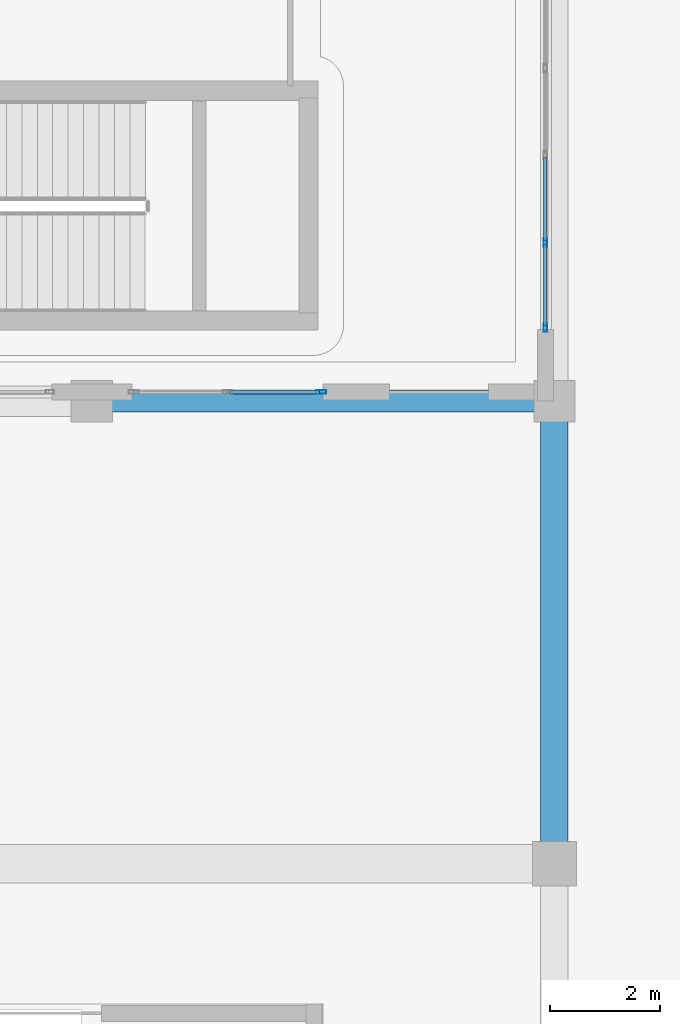
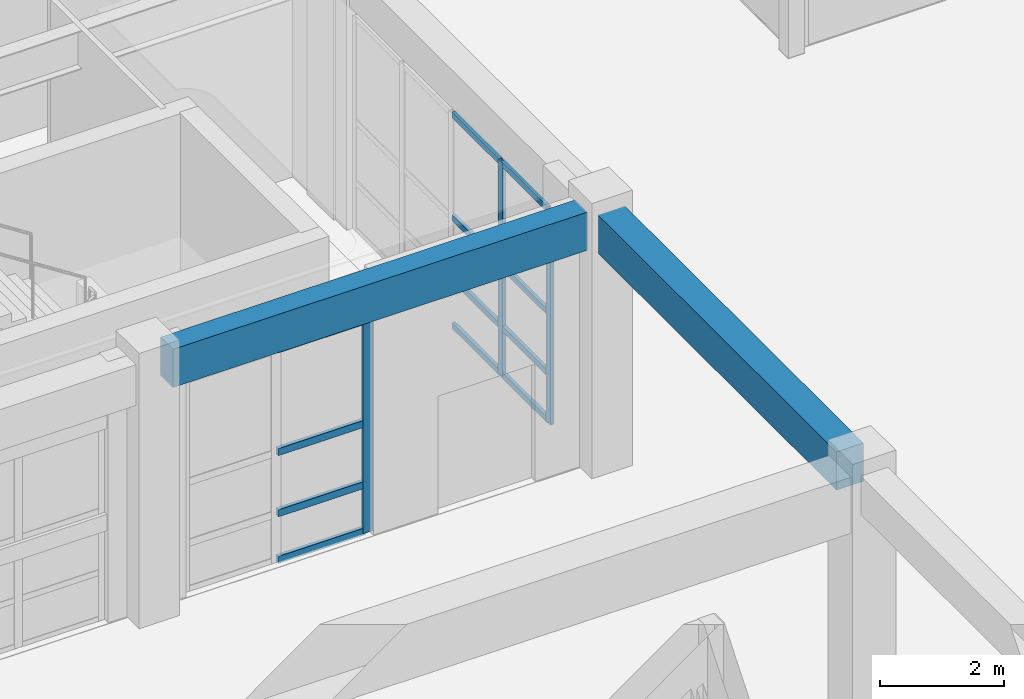
# One storey, part 31 of 148: 15 members, 2 beams, 2 elements without a shape of their own.
"""IFC4 building model written with IfcOpenShell, lengths in metres."""

from ifc_helpers import new_model, si_unit, direction, frame, origin, origin_2d, place, context, subcontext, project, spatial, rectangle, hollow_rectangle, extrude, material, layer, layer_set, material_profile, profile_set, type_object, element, aggregate, save


model = new_model("IFC4")

# Units and contexts
model_context = context("Model", 3, precision=1e-05, world=origin(), true_north=direction((0.0, 1.0)))
body_context = subcontext(model_context, "Body", "Model", "MODEL_VIEW")
ifc_project = project(units=[si_unit("LENGTHUNIT", "METRE"), si_unit("AREAUNIT", "SQUARE_METRE"), si_unit("VOLUMEUNIT", "CUBIC_METRE"), si_unit("PLANEANGLEUNIT", "RADIAN"), si_unit("MASSUNIT", "GRAM", prefix="KILO")], contexts=[model_context])

# Site, building, storey
site_placement = place(None, origin())
site = spatial("IfcSite", under=ifc_project, at=site_placement, CompositionType="ELEMENT")
building_placement = place(site_placement, origin())
building = spatial("IfcBuilding", under=site, at=building_placement, Name="Quendrovan Civic Courthouse", CompositionType="ELEMENT")
storey_placement = place(building_placement, origin())
storey = spatial("IfcBuildingStorey", under=building, at=storey_placement, Name="L01", CompositionType="ELEMENT", Elevation=0.0)

# Beams
ifc_material_1 = material(Name="Concrete C40/50", Category="concrete")
ifc_material_profile_1 = material_profile(ifc_material_1, rectangle(XDim=0.5, YDim=0.75, at=origin_2d()), Name="RC-BM-500x750")
ifc_profile_set_1 = profile_set([ifc_material_profile_1], Name="Concrete C40/50")
beam_type_1 = type_object("IfcBeamType", Name="BM-RC750", PredefinedType="SPANDREL", material=ifc_profile_set_1)
beam_1_placement = place(storey_placement, frame((16.800048828125, 48.3798828125, 4.7451171875), z_axis=(0.0, 1.0, 0.0), x_axis=(-1.0, 0.0, 0.0)))
element("IfcBeam", 1, at=beam_1_placement, inside=storey, type_object=beam_type_1, Name="L01 Girder Y0393", PredefinedType="SPANDREL", context=body_context, shape_type="SweptSolid", body=[
    extrude(rectangle(XDim=0.5, YDim=0.75, at=origin_2d()), origin(), (0.0, 0.0, 1.0), 7.6650390625),
])
ifc_material_profile_2 = material_profile(ifc_material_1, rectangle(XDim=0.39990234375, YDim=0.75, at=origin_2d()), Name="RC-BM-400x750")
ifc_profile_set_2 = profile_set([ifc_material_profile_2], Name="Concrete C40/50")
beam_type_2 = type_object("IfcBeamType", Name="BM-RC750B", PredefinedType="BEAM", material=ifc_profile_set_2)
beam_2_placement = place(storey_placement, frame((8.7548828125, 56.39990234375, 4.7451171875), z_axis=(1.0, 0.0, 0.0), x_axis=(0.0, 1.0, 0.0)))
element("IfcBeam", 2, at=beam_2_placement, inside=storey, type_object=beam_type_2, Name="L01 Girder X0284", PredefinedType="BEAM", context=body_context, shape_type="SweptSolid", body=[
    extrude(rectangle(XDim=0.39990234375, YDim=0.75, at=origin_2d()), origin(), (0.0, 0.0, 1.0), 7.690185546875),
])

# Curtain wall, member
ifc_material_2 = material(Name="Bronze anodised aluminium and low-E glass", Category="aluminium")
ifc_layer_1 = layer(ifc_material_2, 0.179931640625, Name="Bronze anodised aluminium and low-E glass")
ifc_layer_set_1 = layer_set([ifc_layer_1], Name="Bronze anodised aluminium and low-E glass")
curtain_wall_type_1 = type_object("IfcCurtainWallType", Name="CW-U35x42", PredefinedType="USERDEFINED", material=ifc_layer_set_1)
curtain_wall_1_placement = place(storey_placement, origin())
curtain_wall_1 = element("IfcCurtainWall", 3, at=curtain_wall_1_placement, inside=storey, type_object=curtain_wall_type_1, Name="L01 Unitised Hurricane Curtain Wall CW-014", ObjectType="UNITISED CURTAIN WALL", PredefinedType="USERDEFINED")
ifc_material_3 = material(Name="Bronze anodised aluminium", Category="aluminium")
ifc_material_profile_3 = material_profile(ifc_material_3, hollow_rectangle(XDim=0.070068359375, YDim=0.179931640625, WallThickness=0.00390625, at=origin_2d()), Name="CW-MULL-70x180")
ifc_profile_set_3 = profile_set([ifc_material_profile_3], Name="Bronze anodised aluminium")
member_type_1 = type_object("IfcMemberType", Name="CW-MULL-A", PredefinedType="MULLION", material=ifc_profile_set_3)
member_1_placement = place(storey_placement, frame((12.56494140625, 56.56494140625, 0.0), z_axis=(0.0, 0.0, 1.0), x_axis=(0.0, -1.0, 0.0)))
member_1 = element("IfcMember", 4, at=member_1_placement, type_object=member_type_1, Name="CW-014 mullion 1", PredefinedType="MULLION", context=body_context, shape_type="SweptSolid", body=[
    extrude(hollow_rectangle(XDim=0.070068359375, YDim=0.179931640625, WallThickness=0.00390625, at=origin_2d()), origin(), (0.0, 0.0, 1.0), 4.199951171875),
])

# Curtain wall, members
ifc_layer_2 = layer(ifc_material_2, 0.179931640625, Name="Bronze anodised aluminium and low-E glass")
ifc_layer_set_2 = layer_set([ifc_layer_2], Name="Bronze anodised aluminium and low-E glass")
curtain_wall_type_2 = type_object("IfcCurtainWallType", Name="CW-U63x42", PredefinedType="USERDEFINED", material=ifc_layer_set_2)
curtain_wall_2_placement = place(storey_placement, origin())
curtain_wall_2 = element("IfcCurtainWall", 5, at=curtain_wall_2_placement, inside=storey, type_object=curtain_wall_type_2, Name="L01 Unitised Hurricane Curtain Wall CW-013", ObjectType="UNITISED CURTAIN WALL", PredefinedType="USERDEFINED")
ifc_material_profile_4 = material_profile(ifc_material_3, hollow_rectangle(XDim=0.06494140625, YDim=0.14990234375, WallThickness=0.00390625, at=origin_2d()), Name="CW-MULL-65x150")
ifc_profile_set_4 = profile_set([ifc_material_profile_4], Name="Bronze anodised aluminium")
member_type_2 = type_object("IfcMemberType", Name="CW-MULL-B", PredefinedType="MULLION", material=ifc_profile_set_4)
member_2_placement = place(storey_placement, frame((16.635009765625, 59.28125, 0.0), z_axis=(0.0, 0.0, 1.0), x_axis=(1.0, 0.0, 0.0)))
member_2 = element("IfcMember", 6, at=member_2_placement, type_object=member_type_2, Name="CW-013 mullion 4", PredefinedType="MULLION", context=body_context, shape_type="SweptSolid", body=[
    extrude(hollow_rectangle(XDim=0.06494140625, YDim=0.14990234375, WallThickness=0.00390625, at=origin_2d()), origin(), (0.0, 0.0, 1.0), 4.199951171875),
])
member_3_placement = place(storey_placement, frame((16.635009765625, 57.732421875, 0.0), z_axis=(0.0, 0.0, 1.0), x_axis=(1.0, 0.0, 0.0)))
member_3 = element("IfcMember", 7, at=member_3_placement, type_object=member_type_2, Name="CW-013 mullion 5", PredefinedType="MULLION", context=body_context, shape_type="SweptSolid", body=[
    extrude(hollow_rectangle(XDim=0.06494140625, YDim=0.14990234375, WallThickness=0.00390625, at=origin_2d()), origin(), (0.0, 0.0, 1.0), 4.199951171875),
])

# Member
ifc_material_profile_5 = material_profile(ifc_material_3, hollow_rectangle(XDim=0.070068359375, YDim=0.139892578125, WallThickness=0.00390625, at=origin_2d()), Name="CW-TRAN-70x140")
ifc_profile_set_5 = profile_set([ifc_material_profile_5], Name="Bronze anodised aluminium")
member_type_3 = type_object("IfcMemberType", Name="CW-TRAN-A", PredefinedType="USERDEFINED", material=ifc_profile_set_5)
member_4_placement = place(storey_placement, frame((12.530029296875, 56.56494140625, 0.034912109375), z_axis=(-1.0, 0.0, 0.0), x_axis=(0.0, -1.0, 0.0)))
member_4 = element("IfcMember", 8, at=member_4_placement, type_object=member_type_3, Name="CW-014 transom 1.1", ObjectType="TRANSOM", PredefinedType="USERDEFINED", context=body_context, shape_type="SweptSolid", body=[
    extrude(hollow_rectangle(XDim=0.070068359375, YDim=0.139892578125, WallThickness=0.00390625, at=origin_2d()), origin(), (0.0, 0.0, 1.0), 1.632568359375),
])

member_5_placement = place(storey_placement, frame((12.530029296875, 56.56494140625, 0.949951171875), z_axis=(-1.0, 0.0, 0.0), x_axis=(0.0, -1.0, 0.0)))
member_5 = element("IfcMember", 9, at=member_5_placement, type_object=member_type_3, Name="CW-014 transom 1.2", ObjectType="TRANSOM", PredefinedType="USERDEFINED", context=body_context, shape_type="SweptSolid", body=[
    extrude(hollow_rectangle(XDim=0.070068359375, YDim=0.139892578125, WallThickness=0.00390625, at=origin_2d()), origin(), (0.0, 0.0, 1.0), 1.632568359375),
])

member_6_placement = place(storey_placement, frame((12.530029296875, 56.56494140625, 2.14990234375), z_axis=(-1.0, 0.0, 0.0), x_axis=(0.0, -1.0, 0.0)))
member_6 = element("IfcMember", 10, at=member_6_placement, type_object=member_type_3, Name="CW-014 transom 1.3", ObjectType="TRANSOM", PredefinedType="USERDEFINED", context=body_context, shape_type="SweptSolid", body=[
    extrude(hollow_rectangle(XDim=0.070068359375, YDim=0.139892578125, WallThickness=0.00390625, at=origin_2d()), origin(), (0.0, 0.0, 1.0), 1.632568359375),
])

member_7_placement = place(storey_placement, frame((12.530029296875, 56.56494140625, 4.1650390625), z_axis=(-1.0, 0.0, 0.0), x_axis=(0.0, -1.0, 0.0)))
member_7 = element("IfcMember", 11, at=member_7_placement, type_object=member_type_3, Name="CW-014 transom 1.4", ObjectType="TRANSOM", PredefinedType="USERDEFINED", context=body_context, shape_type="SweptSolid", body=[
    extrude(hollow_rectangle(XDim=0.070068359375, YDim=0.139892578125, WallThickness=0.00390625, at=origin_2d()), origin(), (0.0, 0.0, 1.0), 1.632568359375),
])

aggregate(curtain_wall_1, [member_1, member_4, member_5, member_6, member_7])

ifc_material_profile_6 = material_profile(ifc_material_3, hollow_rectangle(XDim=0.06494140625, YDim=0.114990234375, WallThickness=0.00390625, at=origin_2d()), Name="CW-TRAN-65x115")
ifc_profile_set_6 = profile_set([ifc_material_profile_6], Name="Bronze anodised aluminium")
member_type_4 = type_object("IfcMemberType", Name="CW-TRAN-B", PredefinedType="USERDEFINED", material=ifc_profile_set_6)
member_8_placement = place(storey_placement, frame((16.635009765625, 60.830078125, 0.032470703125), z_axis=(0.0, -1.0, 0.0), x_axis=(1.0, 0.0, 0.0)))
member_8 = element("IfcMember", 12, at=member_8_placement, type_object=member_type_4, Name="CW-013 transom 3.1", ObjectType="TRANSOM", PredefinedType="USERDEFINED", context=body_context, shape_type="SweptSolid", body=[
    extrude(hollow_rectangle(XDim=0.06494140625, YDim=0.114990234375, WallThickness=0.00390625, at=origin_2d()), origin(), (0.0, 0.0, 1.0), 1.516357421875),
])

member_9_placement = place(storey_placement, frame((16.635009765625, 60.830078125, 0.949951171875), z_axis=(0.0, -1.0, 0.0), x_axis=(1.0, 0.0, 0.0)))
member_9 = element("IfcMember", 13, at=member_9_placement, type_object=member_type_4, Name="CW-013 transom 3.2", ObjectType="TRANSOM", PredefinedType="USERDEFINED", context=body_context, shape_type="SweptSolid", body=[
    extrude(hollow_rectangle(XDim=0.06494140625, YDim=0.114990234375, WallThickness=0.00390625, at=origin_2d()), origin(), (0.0, 0.0, 1.0), 1.516357421875),
])

member_10_placement = place(storey_placement, frame((16.635009765625, 60.830078125, 2.14990234375), z_axis=(0.0, -1.0, 0.0), x_axis=(1.0, 0.0, 0.0)))
member_10 = element("IfcMember", 14, at=member_10_placement, type_object=member_type_4, Name="CW-013 transom 3.3", ObjectType="TRANSOM", PredefinedType="USERDEFINED", context=body_context, shape_type="SweptSolid", body=[
    extrude(hollow_rectangle(XDim=0.06494140625, YDim=0.114990234375, WallThickness=0.00390625, at=origin_2d()), origin(), (0.0, 0.0, 1.0), 1.516357421875),
])

member_11_placement = place(storey_placement, frame((16.635009765625, 60.830078125, 4.16748046875), z_axis=(0.0, -1.0, 0.0), x_axis=(1.0, 0.0, 0.0)))
member_11 = element("IfcMember", 15, at=member_11_placement, type_object=member_type_4, Name="CW-013 transom 3.4", ObjectType="TRANSOM", PredefinedType="USERDEFINED", context=body_context, shape_type="SweptSolid", body=[
    extrude(hollow_rectangle(XDim=0.06494140625, YDim=0.114990234375, WallThickness=0.00390625, at=origin_2d()), origin(), (0.0, 0.0, 1.0), 1.516357421875),
])

member_12_placement = place(storey_placement, frame((16.635009765625, 59.248779296875, 0.032470703125), z_axis=(0.0, -1.0, 0.0), x_axis=(1.0, 0.0, 0.0)))
member_12 = element("IfcMember", 16, at=member_12_placement, type_object=member_type_4, Name="CW-013 transom 4.1", ObjectType="TRANSOM", PredefinedType="USERDEFINED", context=body_context, shape_type="SweptSolid", body=[
    extrude(hollow_rectangle(XDim=0.06494140625, YDim=0.114990234375, WallThickness=0.00390625, at=origin_2d()), origin(), (0.0, 0.0, 1.0), 1.48388671875),
])

member_13_placement = place(storey_placement, frame((16.635009765625, 59.248779296875, 0.949951171875), z_axis=(0.0, -1.0, 0.0), x_axis=(1.0, 0.0, 0.0)))
member_13 = element("IfcMember", 17, at=member_13_placement, type_object=member_type_4, Name="CW-013 transom 4.2", ObjectType="TRANSOM", PredefinedType="USERDEFINED", context=body_context, shape_type="SweptSolid", body=[
    extrude(hollow_rectangle(XDim=0.06494140625, YDim=0.114990234375, WallThickness=0.00390625, at=origin_2d()), origin(), (0.0, 0.0, 1.0), 1.48388671875),
])

member_14_placement = place(storey_placement, frame((16.635009765625, 59.248779296875, 2.14990234375), z_axis=(0.0, -1.0, 0.0), x_axis=(1.0, 0.0, 0.0)))
member_14 = element("IfcMember", 18, at=member_14_placement, type_object=member_type_4, Name="CW-013 transom 4.3", ObjectType="TRANSOM", PredefinedType="USERDEFINED", context=body_context, shape_type="SweptSolid", body=[
    extrude(hollow_rectangle(XDim=0.06494140625, YDim=0.114990234375, WallThickness=0.00390625, at=origin_2d()), origin(), (0.0, 0.0, 1.0), 1.48388671875),
])

member_15_placement = place(storey_placement, frame((16.635009765625, 59.248779296875, 4.16748046875), z_axis=(0.0, -1.0, 0.0), x_axis=(1.0, 0.0, 0.0)))
member_15 = element("IfcMember", 19, at=member_15_placement, type_object=member_type_4, Name="CW-013 transom 4.4", ObjectType="TRANSOM", PredefinedType="USERDEFINED", context=body_context, shape_type="SweptSolid", body=[
    extrude(hollow_rectangle(XDim=0.06494140625, YDim=0.114990234375, WallThickness=0.00390625, at=origin_2d()), origin(), (0.0, 0.0, 1.0), 1.48388671875),
])

aggregate(curtain_wall_2, [member_2, member_3, member_8, member_9, member_10, member_11, member_12, member_13, member_14, member_15])

save(model, "model.ifc")
